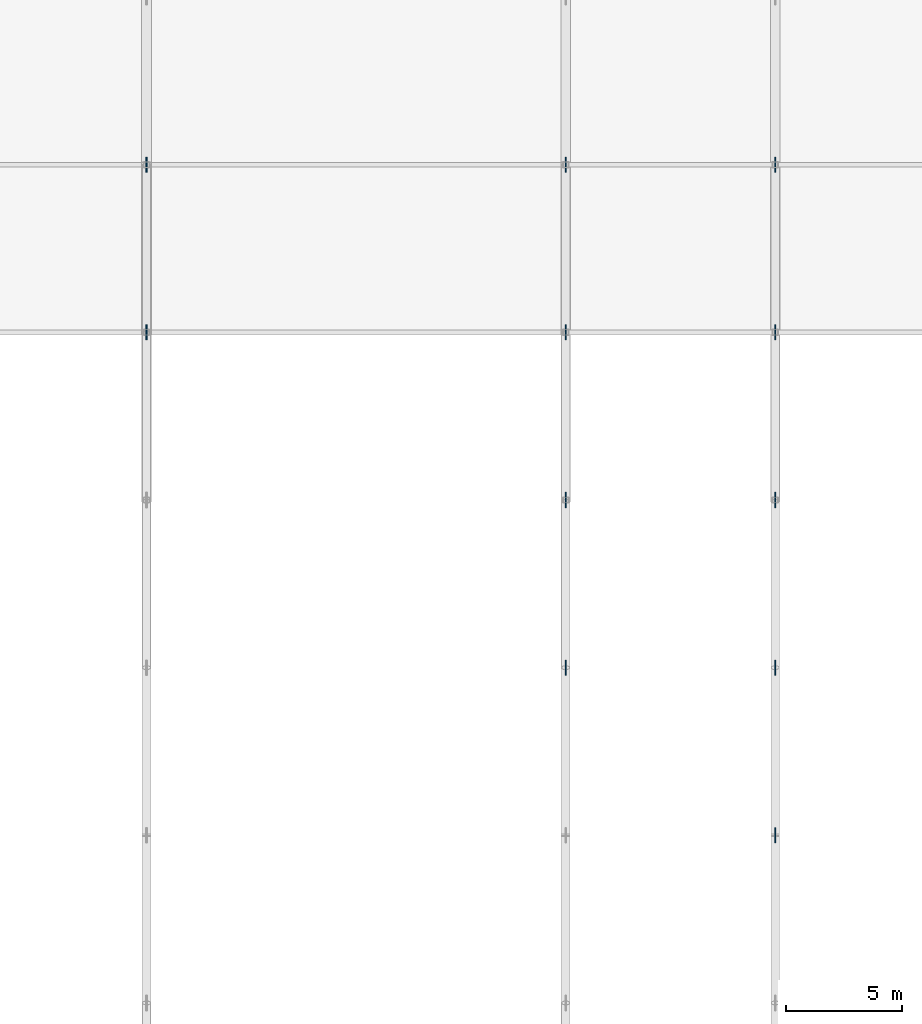
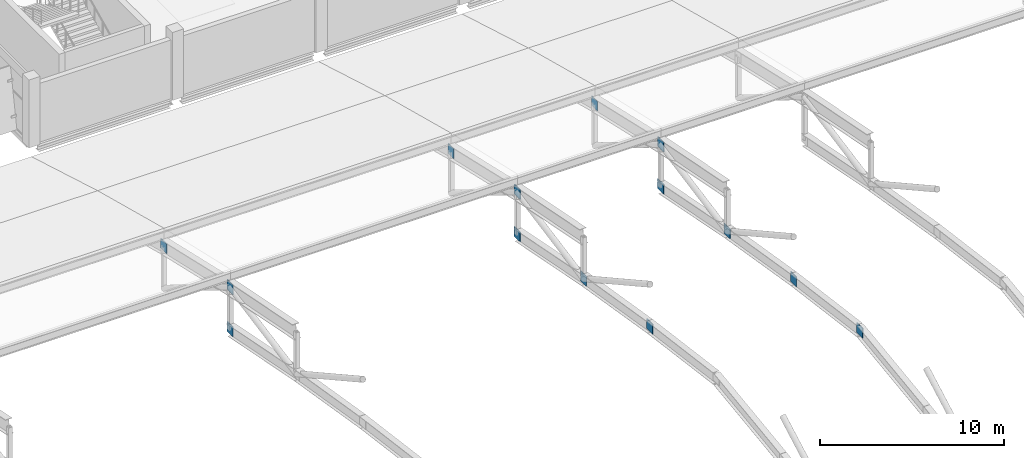
# One storey, part 85 of 124: 14 plates.
"""IFC4 building model written with IfcOpenShell, lengths in metres."""

from ifc_helpers import new_model, si_unit, direction, frame, origin, origin_2d, place, context, subcontext, project, spatial, rectangle, extrude, material, layer, layer_set, type_object, element, save


model = new_model("IFC4")

# Units and contexts
model_context = context("Model", 3, precision=1e-05, world=origin(), true_north=direction((0.0, 1.0)))
body_context = subcontext(model_context, "Body", "Model", "MODEL_VIEW")
ifc_project = project(units=[si_unit("LENGTHUNIT", "METRE"), si_unit("AREAUNIT", "SQUARE_METRE"), si_unit("VOLUMEUNIT", "CUBIC_METRE"), si_unit("PLANEANGLEUNIT", "RADIAN"), si_unit("MASSUNIT", "GRAM", prefix="KILO")], contexts=[model_context])

# Site, building, storey
site_placement = place(None, origin())
site = spatial("IfcSite", under=ifc_project, at=site_placement, CompositionType="ELEMENT")
building_placement = place(site_placement, origin())
building = spatial("IfcBuilding", under=site, at=building_placement, Name="Celestram Park Convention Centre", CompositionType="ELEMENT")
storey_placement = place(building_placement, frame((0.0, 0.0, 15.300048828125)))
storey = spatial("IfcBuildingStorey", under=building, at=storey_placement, Name="L03", CompositionType="ELEMENT", Elevation=15.300048828125)

# Plates
ifc_material = material(Name="Steel ASTM A572 Grade 50", Category="steel")
ifc_layer = layer(ifc_material, 0.050048828125)
ifc_layer_set = layer_set([ifc_layer], Name="Steel ASTM A572 Grade 50")
plate_type = type_object("IfcPlateType", Name="STR-PLT-GP50", PredefinedType="USERDEFINED", material=ifc_layer_set)
for number, where, z_axis, x_axis, name in (
    (1, (36.0, 86.39990234375, 3.238525390625), (0.0, 0.0, 1.0), (0.0, 1.0, 0.0), "V1 truss node gusset plate"),
    (2, (36.0, 86.39990234375, 0.4384765625), (0.0, 0.0, 1.0), (0.0, 1.0, 0.0), "V1 truss node gusset plate"),
    (3, (36.0, 93.60009765625, 1.590087890625), (0.0, 0.0, 1.0), (0.0, 1.0, 0.0), "V1 truss node gusset plate"),
    (4, (54.0, 72.0, 3.045166015625), (0.0, 0.0, 1.0), (0.0, 1.0, 0.0), "V1 truss node gusset plate"),
    (5, (54.0, 79.199951171875, 1.856689453125), (0.0, 0.0, 1.0), (0.0, 1.0, 0.0), "V1 truss node gusset plate"),
    (6, (54.0, 86.39990234375, 3.238525390625), (0.0, 0.0, 1.0), (0.0, 1.0, 0.0), "V1 truss node gusset plate"),
    (7, (54.0, 86.39990234375, 0.4384765625), (0.0, 0.0, 1.0), (0.0, 1.0, 0.0), "V1 truss node gusset plate"),
    (8, (54.0, 93.60009765625, 1.590087890625), (0.0, 0.0, 1.0), (0.0, 1.0, 0.0), "V1 truss node gusset plate"),
    (9, (63.0, 64.800048828125, 4.00341796875), (0.0, 0.0, 1.0), (0.0, 1.0, 0.0), "V1 truss node gusset plate"),
    (10, (63.0, 72.0, 3.045166015625), (0.0, 0.0, 1.0), (0.0, 1.0, 0.0), "V1 truss node gusset plate"),
    (11, (63.0, 79.199951171875, 1.856689453125), (0.0, 0.0, 1.0), (0.0, 1.0, 0.0), "V1 truss node gusset plate"),
    (12, (63.0, 86.39990234375, 3.238525390625), (0.0, 0.0, 1.0), (0.0, 1.0, 0.0), "V1 truss node gusset plate"),
    (13, (63.0, 86.39990234375, 0.4384765625), (0.0, 0.0, 1.0), (0.0, 1.0, 0.0), "V1 truss node gusset plate"),
    (14, (63.0, 93.60009765625, 1.590087890625), (0.0, 0.0, 1.0), (0.0, 1.0, 0.0), "V1 truss node gusset plate"),
):
    element("IfcPlate", number, at=place(storey_placement, frame(where, z_axis=z_axis, x_axis=x_axis)), inside=storey, type_object=plate_type, Name=name, ObjectType="GUSSET_PLATE", PredefinedType="USERDEFINED", context=body_context, shape_type="SweptSolid", body=[
        extrude(rectangle(XDim=0.64990234375, YDim=0.050048828125, at=origin_2d()), origin(), (0.0, 0.0, 1.0), 0.64990234375),
    ])

save(model, "model.ifc")
